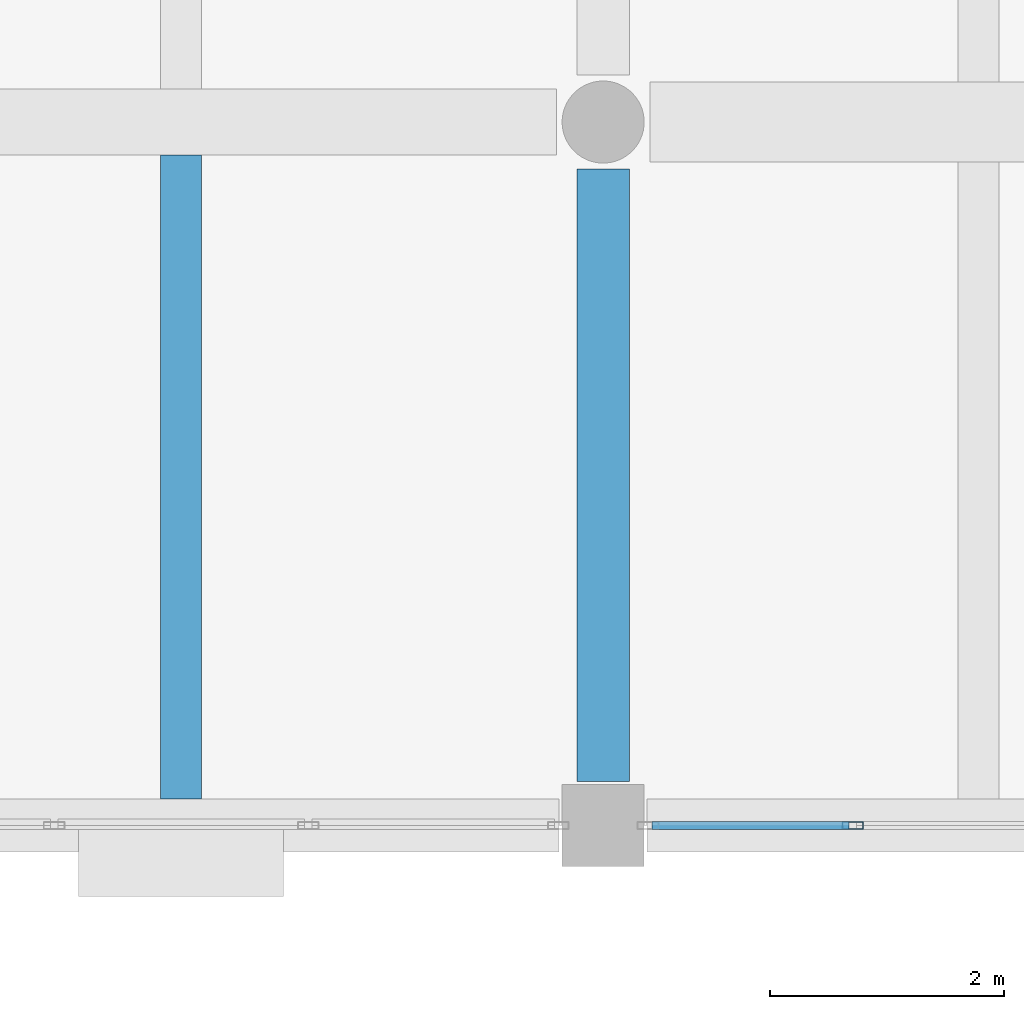
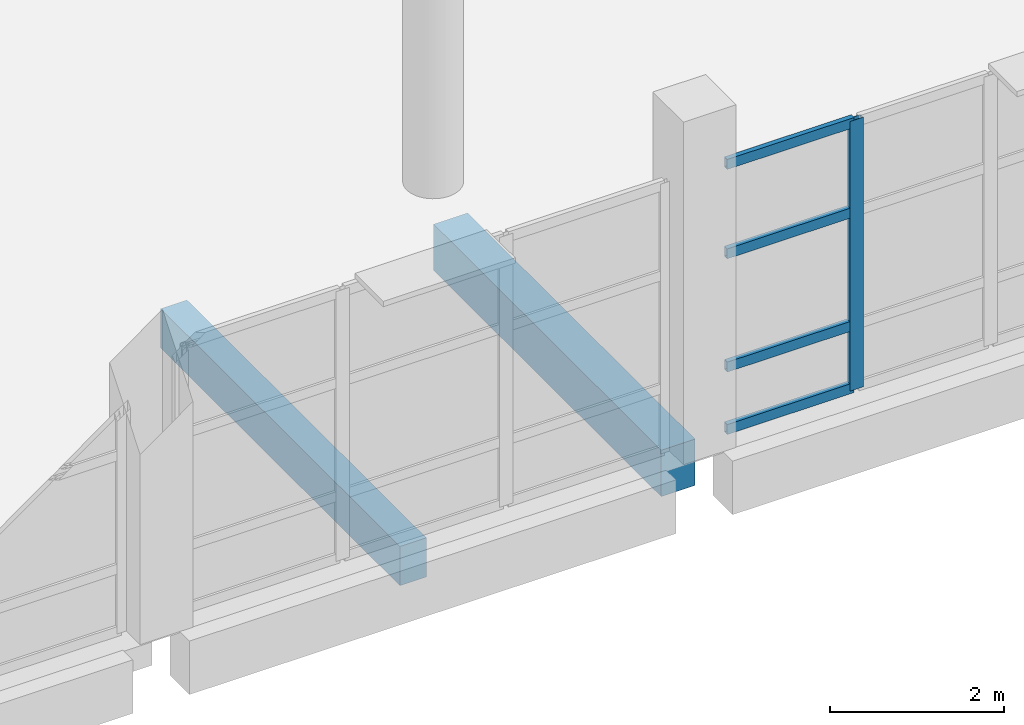
# One storey, part 38 of 91: 5 members, 2 beams, 1 element without a shape of its own.
"""IFC4 building model written with IfcOpenShell, lengths in metres."""

from ifc_helpers import new_model, si_unit, direction, frame, origin, origin_2d, place, context, subcontext, project, spatial, rectangle, hollow_rectangle, extrude, material, material_profile, profile_set, type_object, element, aggregate, save


model = new_model("IFC4")

# Units and contexts
model_context = context("Model", 3, precision=1e-05, world=origin(), true_north=direction((0.0, 1.0)))
body_context = subcontext(model_context, "Body", "Model", "MODEL_VIEW")
ifc_project = project(units=[si_unit("LENGTHUNIT", "METRE"), si_unit("AREAUNIT", "SQUARE_METRE"), si_unit("VOLUMEUNIT", "CUBIC_METRE"), si_unit("PLANEANGLEUNIT", "RADIAN"), si_unit("MASSUNIT", "GRAM", prefix="KILO")], contexts=[model_context])

# Site, building, storey
site_placement = place(None, origin())
site = spatial("IfcSite", under=ifc_project, at=site_placement, CompositionType="ELEMENT")
building_placement = place(site_placement, origin())
building = spatial("IfcBuilding", under=site, at=building_placement, Name="Pellamere Symphony Hall", CompositionType="ELEMENT")
storey_placement = place(building_placement, frame((0.0, 0.0, 5.39990234375)))
storey = spatial("IfcBuildingStorey", under=building, at=storey_placement, Name="L01", CompositionType="ELEMENT", Elevation=5.39990234375)

# Curtain wall, members
ifc_material_1 = material(Name="Thermally Broken Anodised Aluminium 6063-T6 Curtain Wall", Category="aluminium")
curtain_wall_type = type_object("IfcCurtainWallType", Name="Curtain Wall CW-02 (Winter-Garden South Concourse Curtain Wall)", PredefinedType="NOTDEFINED", material=ifc_material_1)
curtain_wall_placement = place(storey_placement, origin())
curtain_wall = element("IfcCurtainWall", 1, at=curtain_wall_placement, inside=storey, type_object=curtain_wall_type, Name="Winter-Garden South Curtain Wall (L01 Bay 10)", PredefinedType="NOTDEFINED")
ifc_material_2 = material(Name="Anodised Architectural Aluminium 6063-T6", Category="aluminium")
ifc_material_profile_1 = material_profile(ifc_material_2, hollow_rectangle(XDim=0.06494140625, YDim=0.179931640625, WallThickness=0.00390625, at=origin_2d()), Name="ALU-M65X180X4")
ifc_profile_set_1 = profile_set([ifc_material_profile_1], Name="Anodised Architectural Aluminium 6063-T6")
member_type_1 = type_object("IfcMemberType", Name="Curtain Wall Mullion ML-02 ALU-M65X180X4", PredefinedType="MULLION", material=ifc_profile_set_1)
member_1_placement = place(storey_placement, frame((111.330078125, 18.0, 0.0), z_axis=(0.0, 0.0, 1.0), x_axis=(0.0, 1.0, 0.0)))
member_1 = element("IfcMember", 2, at=member_1_placement, type_object=member_type_1, Name="CW2-075 crystal mullion 2", PredefinedType="MULLION", context=body_context, shape_type="SweptSolid", body=[
    extrude(hollow_rectangle(XDim=0.06494140625, YDim=0.179931640625, WallThickness=0.00390625, at=origin_2d()), origin(), (0.0, 0.0, 1.0), 3.780029296875),
])
ifc_material_profile_2 = material_profile(ifc_material_2, hollow_rectangle(XDim=0.06494140625, YDim=0.139892578125, WallThickness=0.00390625, at=origin_2d()), Name="ALU-T65X140X4")
ifc_profile_set_2 = profile_set([ifc_material_profile_2], Name="Anodised Architectural Aluminium 6063-T6")
member_type_2 = type_object("IfcMemberType", Name="Curtain Wall Transom TR-02 ALU-T65X140X4", PredefinedType="USERDEFINED", material=ifc_profile_set_2)
member_2_placement = place(storey_placement, frame((109.614990234375, 18.0, 0.03271484375), z_axis=(1.0, 0.0, 0.0), x_axis=(0.0, 1.0, 0.0)))
member_2 = element("IfcMember", 3, at=member_2_placement, type_object=member_type_2, Name="CW2-075 crystal transom 1.1", ObjectType="TRANSOM", PredefinedType="USERDEFINED", context=body_context, shape_type="SweptSolid", body=[
    extrude(hollow_rectangle(XDim=0.06494140625, YDim=0.139892578125, WallThickness=0.00390625, at=origin_2d()), origin(), (0.0, 0.0, 1.0), 1.6826171875),
])
member_3_placement = place(storey_placement, frame((109.614990234375, 18.0, 0.9072265625), z_axis=(1.0, 0.0, 0.0), x_axis=(0.0, 1.0, 0.0)))
member_3 = element("IfcMember", 4, at=member_3_placement, type_object=member_type_2, Name="CW2-075 crystal transom 1.2", ObjectType="TRANSOM", PredefinedType="USERDEFINED", context=body_context, shape_type="SweptSolid", body=[
    extrude(hollow_rectangle(XDim=0.06494140625, YDim=0.139892578125, WallThickness=0.00390625, at=origin_2d()), origin(), (0.0, 0.0, 1.0), 1.6826171875),
])
member_4_placement = place(storey_placement, frame((109.614990234375, 18.0, 2.494873046875), z_axis=(1.0, 0.0, 0.0), x_axis=(0.0, 1.0, 0.0)))
member_4 = element("IfcMember", 5, at=member_4_placement, type_object=member_type_2, Name="CW2-075 crystal transom 1.3", ObjectType="TRANSOM", PredefinedType="USERDEFINED", context=body_context, shape_type="SweptSolid", body=[
    extrude(hollow_rectangle(XDim=0.06494140625, YDim=0.139892578125, WallThickness=0.00390625, at=origin_2d()), origin(), (0.0, 0.0, 1.0), 1.6826171875),
])
member_5_placement = place(storey_placement, frame((109.614990234375, 18.0, 3.74755859375), z_axis=(1.0, 0.0, 0.0), x_axis=(0.0, 1.0, 0.0)))
member_5 = element("IfcMember", 6, at=member_5_placement, type_object=member_type_2, Name="CW2-075 crystal transom 1.4", ObjectType="TRANSOM", PredefinedType="USERDEFINED", context=body_context, shape_type="SweptSolid", body=[
    extrude(hollow_rectangle(XDim=0.06494140625, YDim=0.139892578125, WallThickness=0.00390625, at=origin_2d()), origin(), (0.0, 0.0, 1.0), 1.6826171875),
])
aggregate(curtain_wall, [member_1, member_2, member_3, member_4, member_5])

# Beams
ifc_material_3 = material(Name="Concrete 40 MPa", Category="concrete")
ifc_material_profile_3 = material_profile(ifc_material_3, rectangle(XDim=0.449951171875, YDim=0.64990234375, at=origin_2d()), Name="RC 450x650")
ifc_profile_set_3 = profile_set([ifc_material_profile_3], Name="Concrete 40 MPa")
beam_type_1 = type_object("IfcBeamType", Name="RC CB-08 450x650", PredefinedType="BEAM", material=ifc_profile_set_3)
beam_1_placement = place(storey_placement, frame((109.199951171875, 18.375, -0.60498046875), z_axis=(0.0, 1.0, 0.0), x_axis=(-1.0, 0.0, 0.0)))
element("IfcBeam", 7, at=beam_1_placement, inside=storey, type_object=beam_type_1, Name="Girder CB-08-Y0810 (L01)", PredefinedType="BEAM", context=body_context, shape_type="SweptSolid", body=[
    extrude(rectangle(XDim=0.449951171875, YDim=0.64990234375, at=origin_2d()), origin(), (0.0, 0.0, 1.0), 5.22509765625),
])
ifc_material_4 = material(Name="Concrete 35 MPa", Category="concrete")
ifc_material_profile_4 = material_profile(ifc_material_4, rectangle(XDim=0.35009765625, YDim=0.550048828125, at=origin_2d()), Name="RC 350x550")
ifc_profile_set_4 = profile_set([ifc_material_profile_4], Name="Concrete 35 MPa")
beam_type_2 = type_object("IfcBeamType", Name="RC CB-10 350x550", PredefinedType="BEAM", material=ifc_profile_set_4)
beam_2_placement = place(storey_placement, frame((105.60009765625, 18.22509765625, -0.56982421875), z_axis=(0.0, 1.0, 0.0), x_axis=(-1.0, 0.0, 0.0)))
element("IfcBeam", 8, at=beam_2_placement, inside=storey, type_object=beam_type_2, Name="Secondary Floor Beam CB-10-M1302 (L01)", PredefinedType="BEAM", context=body_context, shape_type="SweptSolid", body=[
    extrude(rectangle(XDim=0.35009765625, YDim=0.550048828125, at=origin_2d()), origin(), (0.0, 0.0, 1.0), 5.494873046875),
])

save(model, "model.ifc")
